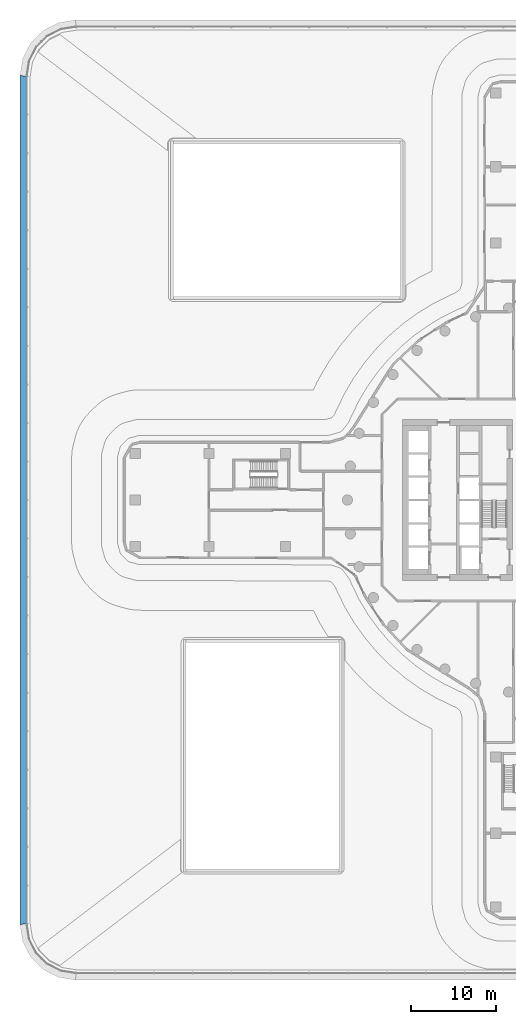
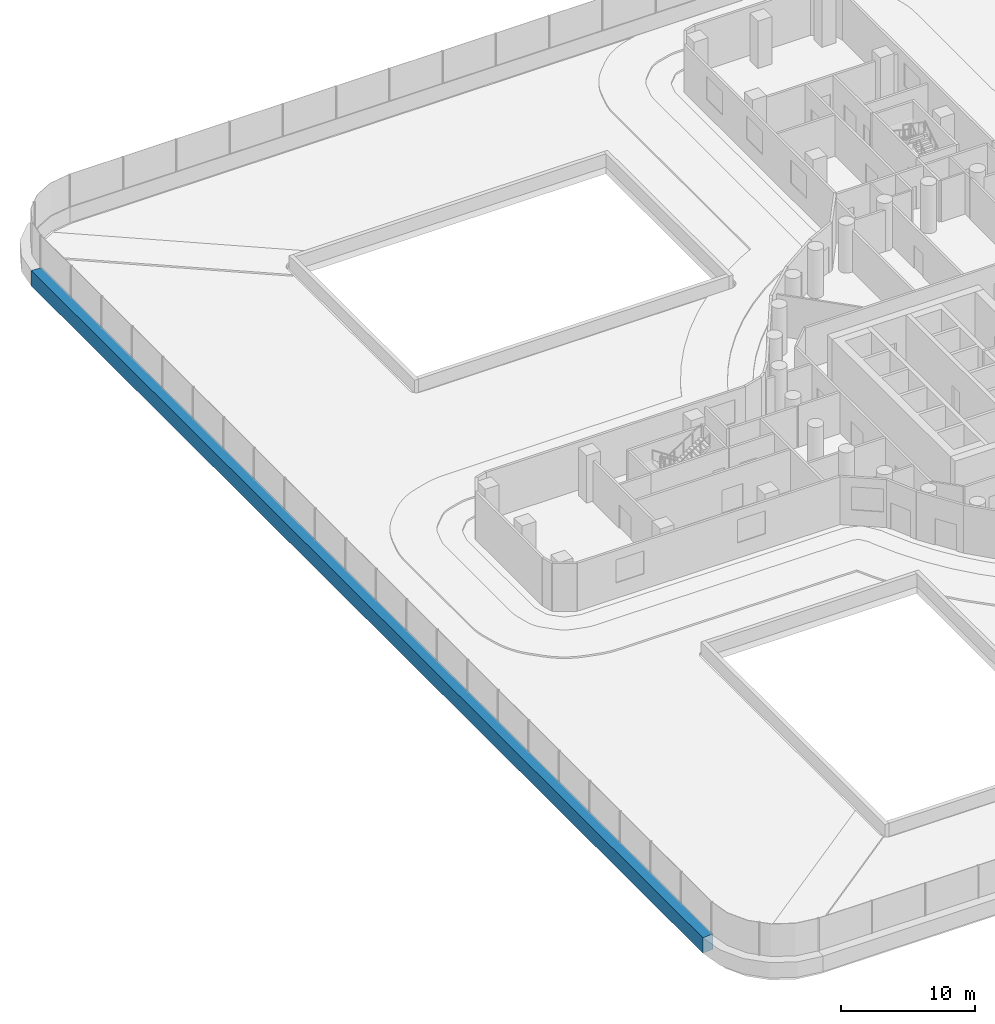
# One storey, part 6 of 37: 1 member, 1 element without a shape of its own.
"""IFC4 building model written with IfcOpenShell, lengths in metres."""

from ifc_helpers import new_model, si_unit, direction, frame, origin, place, context, subcontext, project, spatial, polyline, outline, extrude, material, layer, layer_set, type_object, element, aggregate, save


model = new_model("IFC4")

# Units and contexts
model_context = context("Model", 3, precision=1e-05, world=origin(), true_north=direction((0.0, 1.0)))
body_context = subcontext(model_context, "Body", "Model", "MODEL_VIEW")
ifc_project = project(units=[si_unit("LENGTHUNIT", "METRE"), si_unit("AREAUNIT", "SQUARE_METRE"), si_unit("VOLUMEUNIT", "CUBIC_METRE"), si_unit("PLANEANGLEUNIT", "RADIAN"), si_unit("MASSUNIT", "GRAM", prefix="KILO")], contexts=[model_context])

# Site, building, storey
site_placement = place(None, origin())
site = spatial("IfcSite", under=ifc_project, at=site_placement, CompositionType="ELEMENT")
building_placement = place(site_placement, origin())
building = spatial("IfcBuilding", under=site, at=building_placement, Name="Tamarind Cross Interchange Tower", CompositionType="ELEMENT")
storey_placement = place(building_placement, frame((0.0, 0.0, 29.5)))
storey = spatial("IfcBuildingStorey", under=building, at=storey_placement, Name="L05", CompositionType="ELEMENT", Elevation=29.5)

# Curtain wall, member
ifc_material_1 = material(Name="Aluminium 6063-T6", Category="aluminium")
ifc_layer = layer(ifc_material_1, 0.179931640625)
ifc_layer_set = layer_set([ifc_layer], Name="Aluminium 6063-T6")
curtain_wall_type = type_object("IfcCurtainWallType", Name="Sky lobby curtain wall, fire-resisting glazing", PredefinedType="NOTDEFINED", material=ifc_layer_set)
curtain_wall_placement = place(storey_placement, origin())
curtain_wall = element("IfcCurtainWall", 1, at=curtain_wall_placement, inside=storey, type_object=curtain_wall_type, Name="CWS-L05-04", PredefinedType="NOTDEFINED")
ifc_material_2 = material(Name="Aluminium and insulated spandrel panel", Category="aluminium")
member_type = type_object("IfcMemberType", Name="Floor-edge blade transom", PredefinedType="USERDEFINED", material=ifc_material_2)
member_placement = place(storey_placement, origin())
member = element("IfcMember", 2, at=member_placement, type_object=member_type, Name="CWT-L05-04", ObjectType="TRANSOM", PredefinedType="USERDEFINED", context=body_context, shape_type="SweptSolid", body=[
    extrude(outline(polyline([(-60.699951171875, 49.976318359375), (-60.699951171875, -49.976318359375), (-61.60009765625, -50.047119140625), (-61.60009765625, 50.047119140625), (-60.699951171875, 49.976318359375)])), origin(), (0.0, 0.0, 1.0), 1.39990234375),
])
aggregate(curtain_wall, [member])

save(model, "model.ifc")
